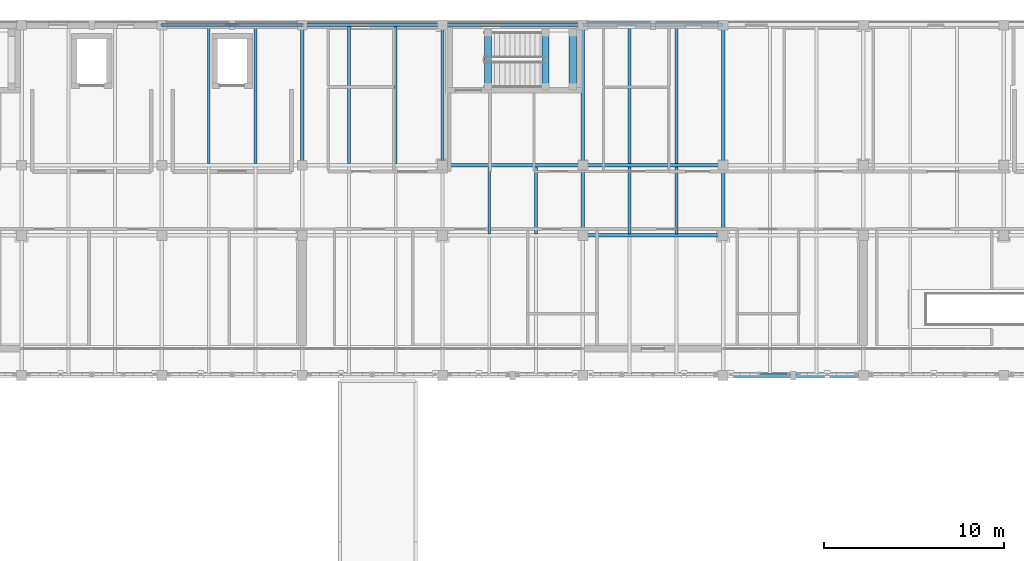
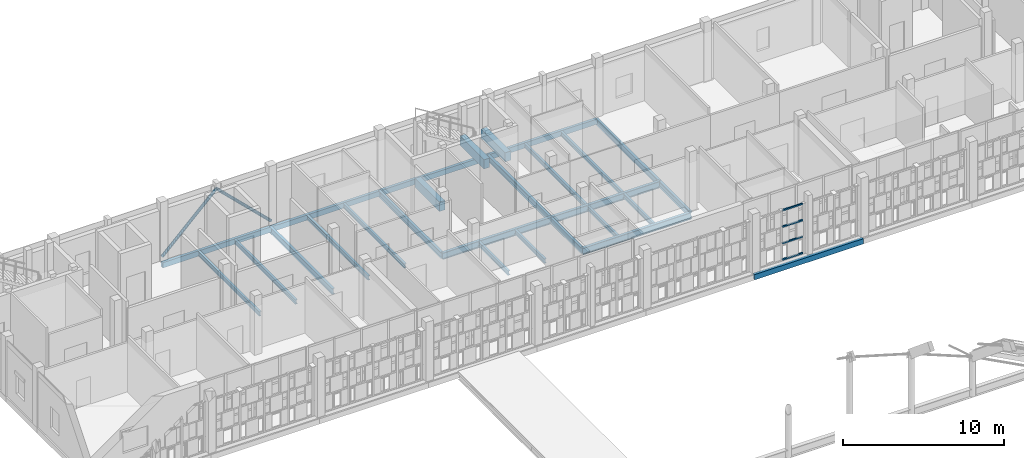
# One storey, part 55 of 119: 27 beams, 6 members.
"""IFC4 building model written with IfcOpenShell, lengths in metres."""

import ifcopenshell
import ifcopenshell.guid

model = None  # the IFC model being written
_history = None  # IfcOwnerHistory: only IFC2X3 demands one
_inside = {}  # id of a spatial element -> (the spatial element, [elements in it])
_under = {}  # id of a project, library or spatial element -> (it, [spatial elements below it])
_declared = {}  # id of a project -> (the project, [libraries it declares])
_typed = {}  # id of a type object -> (the type object, [elements of that type])
_made_of = {}  # id of a material, layer set ... -> (it, [elements and type objects made of it])


def new_model(schema):
    """Start an empty IFC model of exactly this schema.

    Asked for "IFC4X3", IfcOpenShell would pick the latest addendum, in which some entities
    have other attributes; the version numbers below select the first issue.
    IFC2X3 requires an IfcOwnerHistory on every rooted entity: one is made here for all.
    """
    global model, _history
    if schema == "IFC4X3":
        model = ifcopenshell.file(schema_version=(4, 3, 0, 0))
    else:
        model = ifcopenshell.file(schema=schema)
    _inside.clear()
    _under.clear()
    _declared.clear()
    _typed.clear()
    _made_of.clear()
    _history = None
    if model.schema == "IFC2X3":
        org = make("IfcOrganization", Name="unknown")
        user = make(
            "IfcPersonAndOrganization",
            ThePerson=make("IfcPerson", FamilyName="unknown"),
            TheOrganization=org,
        )
        app = make(
            "IfcApplication",
            ApplicationDeveloper=org,
            Version="unknown",
            ApplicationFullName="unknown",
            ApplicationIdentifier="unknown",
        )
        _history = make(
            "IfcOwnerHistory",
            OwningUser=user,
            OwningApplication=app,
            ChangeAction="ADDED",
            CreationDate=0,
        )
    return model


def make(cls, **values):
    """One entity of the class cls with the attributes given. An attribute that is None is left unset."""
    return model.create_entity(
        cls, **{name: value for name, value in values.items() if value is not None}
    )


def rooted(cls, **values):
    """An entity with a GlobalId (a new one), such as an element, a storey or a relation."""
    return make(cls, GlobalId=ifcopenshell.guid.new(), OwnerHistory=_history, **values)


def si_unit(unit_type, name, prefix=None):
    """IfcSIUnit, for example si_unit("LENGTHUNIT", "METRE", prefix="MILLI")."""
    return make("IfcSIUnit", UnitType=unit_type, Prefix=prefix, Name=name)


def assignment(units):
    """IfcUnitAssignment: the units of a project."""
    return None if units is None else make("IfcUnitAssignment", Units=units)


def point(xyz):
    """IfcCartesianPoint."""
    return None if xyz is None else make("IfcCartesianPoint", Coordinates=xyz)


def direction(xyz):
    """IfcDirection."""
    return None if xyz is None else make("IfcDirection", DirectionRatios=xyz)


def frame(location, z_axis=None, x_axis=None):
    """IfcAxis2Placement3D, a coordinate frame: its origin and axes. An axis left out is left unset."""
    return make(
        "IfcAxis2Placement3D",
        Location=point(location),
        Axis=direction(z_axis),
        RefDirection=direction(x_axis),
    )


def frame_2d(location, x_axis=None):
    """IfcAxis2Placement2D, a coordinate frame in the plane: its origin and x axis."""
    return make(
        "IfcAxis2Placement2D", Location=point(location), RefDirection=direction(x_axis)
    )


def origin():
    """The frame at (0, 0, 0) with its axes left unset."""
    return frame((0.0, 0.0, 0.0))


def origin_2d():
    """The frame at (0, 0) in the plane with its x axis left unset."""
    return frame_2d((0.0, 0.0))


def place(relative_to, where):
    """IfcLocalPlacement: puts the frame where relative to a parent placement (None: the world)."""
    return make(
        "IfcLocalPlacement", PlacementRelTo=relative_to, RelativePlacement=where
    )


def context(
    kind, dimensions, precision=None, world=None, true_north=None, identifier=None
):
    """IfcGeometricRepresentationContext, for example the 3D "Model" context."""
    return make(
        "IfcGeometricRepresentationContext",
        ContextIdentifier=identifier,
        ContextType=kind,
        CoordinateSpaceDimension=dimensions,
        Precision=precision,
        WorldCoordinateSystem=world,
        TrueNorth=true_north,
    )


def subcontext(parent, identifier, kind, view, scale=None):
    """IfcGeometricRepresentationSubContext, for example "Body" below "Model"."""
    return make(
        "IfcGeometricRepresentationSubContext",
        ContextIdentifier=identifier,
        ContextType=kind,
        ParentContext=parent,
        TargetScale=scale,
        TargetView=view,
    )


def project(units=None, contexts=None):
    """IfcProject with its units and contexts."""
    return rooted(
        "IfcProject",
        Name="project",
        RepresentationContexts=contexts,
        UnitsInContext=assignment(units),
    )


def spatial(cls, under=None, at=None, **own):
    """A site, building, storey or space (cls), placed at a placement, below another one or the project."""
    s = rooted(cls, ObjectPlacement=at, **own)
    if under is not None:
        _under.setdefault(under.id(), (under, []))[1].append(s)
    return s


def profile(cls, at=None, kind="AREA", **sizes):
    """A parametric profile (cls). Its sizes go by their IFC names, for example OverallWidth=200.0."""
    return make(cls, ProfileType=kind, Position=at, **sizes)


def rectangle(**sizes):
    """IfcRectangleProfileDef."""
    return profile("IfcRectangleProfileDef", **sizes)


def hollow_rectangle(**sizes):
    """IfcRectangleHollowProfileDef."""
    return profile("IfcRectangleHollowProfileDef", **sizes)


def hollow_circle(**sizes):
    """IfcCircleHollowProfileDef."""
    return profile("IfcCircleHollowProfileDef", **sizes)


def i_section(**sizes):
    """IfcIShapeProfileDef."""
    return profile("IfcIShapeProfileDef", **sizes)


def extrude(swept, where, along, depth):
    """IfcExtrudedAreaSolid: the profile swept, set in the frame where, extruded along a direction by depth."""
    return make(
        "IfcExtrudedAreaSolid",
        SweptArea=swept,
        Position=where,
        ExtrudedDirection=direction(along),
        Depth=depth,
    )


def shape(context_of_items, identifier, shape_type, items):
    """IfcShapeRepresentation: the items that make up one representation, for example the "Body"."""
    return make(
        "IfcShapeRepresentation",
        ContextOfItems=context_of_items,
        RepresentationIdentifier=identifier,
        RepresentationType=shape_type,
        Items=items,
    )


def material(Name=None, Category=None):
    """IfcMaterial."""
    return make("IfcMaterial", Name=Name, Category=Category)


def material_profile(
    of_material, cross_section, Name=None, Category=None, Priority=None
):
    """IfcMaterialProfile: a cross section and its material."""
    return make(
        "IfcMaterialProfile",
        Name=Name,
        Material=of_material,
        Profile=cross_section,
        Priority=Priority,
        Category=Category,
    )


def profile_set(profiles, Name=None, composite=None):
    """IfcMaterialProfileSet."""
    return make(
        "IfcMaterialProfileSet",
        Name=Name,
        MaterialProfiles=profiles,
        CompositeProfile=composite,
    )


def made_of(thing, what):
    """Note that an element or type object is made of a material, layer set ...; save() writes the relation."""
    if what is not None:
        _made_of.setdefault(what.id(), (what, []))[1].append(thing)
    return thing


def type_object(cls, material=None, **own):
    """A type object (cls), such as IfcWallType, which elements share."""
    return made_of(rooted(cls, **own), material)


def element(
    cls,
    number,
    at=None,
    inside=None,
    cuts=None,
    type_object=None,
    material=None,
    context=None,
    identifier="Body",
    shape_type=None,
    held_by="IfcProductDefinitionShape",
    body=None,
    shapes=None,
    **own,
):
    """One element of the class cls, such as IfcWall. Its Tag is "e" and its number.

    at: its placement. inside: the storey or other place that contains it. cuts: it is an
    opening in that element (IfcRelVoidsElement). A single representation is given by context,
    identifier, shape_type and body (its items); several are given by shapes. held_by: the class
    of the entity that holds the representations. save() writes the other relations.
    """
    e = rooted(cls, Tag="e%d" % number, ObjectPlacement=at, **own)
    if body is not None:
        shapes = [shape(context, identifier, shape_type, body)]
    if shapes is not None:
        e.Representation = make(held_by, Representations=shapes)
    if inside is not None:
        _inside.setdefault(inside.id(), (inside, []))[1].append(e)
    if cuts is not None:
        rooted(
            "IfcRelVoidsElement", RelatingBuildingElement=cuts, RelatedOpeningElement=e
        )
    if type_object is not None:
        _typed.setdefault(type_object.id(), (type_object, []))[1].append(e)
    return made_of(e, material)


def aggregate(whole, parts):
    """IfcRelAggregates: a whole, such as a stair, and the parts it consists of."""
    return rooted("IfcRelAggregates", RelatingObject=whole, RelatedObjects=parts)


def save(model, path):
    """Write the relations noted so far, then the file.

    IfcRelAggregates (storeys below a building ...), IfcRelContainedInSpatialStructure (elements
    in a storey), IfcRelDefinesByType, IfcRelAssociatesMaterial and IfcRelDeclares: one each for
    every whole, place, type object, material and project.
    """
    for whole, parts in _under.values():
        aggregate(whole, parts)
    for where, things in _inside.values():
        rooted(
            "IfcRelContainedInSpatialStructure",
            RelatedElements=things,
            RelatingStructure=where,
        )
    for kind, things in _typed.values():
        rooted("IfcRelDefinesByType", RelatedObjects=things, RelatingType=kind)
    for what, things in _made_of.values():
        rooted("IfcRelAssociatesMaterial", RelatedObjects=things, RelatingMaterial=what)
    for by, libraries in _declared.values():
        rooted("IfcRelDeclares", RelatingContext=by, RelatedDefinitions=libraries)
    model.write(path)


model = new_model("IFC4")

# Units and contexts
model_context = context("Model", 3, precision=1e-05, world=origin(), true_north=direction((0.0, 1.0)))
body_context = subcontext(model_context, "Body", "Model", "MODEL_VIEW")
ifc_project = project(units=[si_unit("LENGTHUNIT", "METRE"), si_unit("AREAUNIT", "SQUARE_METRE"), si_unit("VOLUMEUNIT", "CUBIC_METRE"), si_unit("PLANEANGLEUNIT", "RADIAN"), si_unit("MASSUNIT", "GRAM", prefix="KILO")], contexts=[model_context])

# Site, building, storey
site_placement = place(None, origin())
site = spatial("IfcSite", under=ifc_project, at=site_placement, CompositionType="ELEMENT")
building_placement = place(site_placement, origin())
building = spatial("IfcBuilding", under=site, at=building_placement, Name="Celorna Specialist Clinic", CompositionType="ELEMENT")
storey_placement = place(building_placement, frame((0.0, 0.0, 9.60009765625)))
storey = spatial("IfcBuildingStorey", under=building, at=storey_placement, Name="L02", CompositionType="ELEMENT", Elevation=9.60009765625)

# Beams
ifc_material_1 = material(Name="Steel S355", Category="steel")
ifc_material_profile_1 = material_profile(ifc_material_1, i_section(OverallWidth=0.199951171875, OverallDepth=0.5, WebThickness=0.01025390625, FlangeThickness=0.01611328125, at=origin_2d()), Name="IPE 500")
ifc_profile_set_1 = profile_set([ifc_material_profile_1], Name="Steel S355")
beam_type_1 = type_object("IfcBeamType", Name="BM-08", PredefinedType="BEAM", material=ifc_profile_set_1)
for number, where, z_axis, x_axis, name in (
    (1, (85.800048828125, 104.300048828125, -0.510009765625), (1.0, 0.0, 0.0), (0.0, 1.0, 0.0), "Primary girder BM-08 #1082"),
    (2, (78.0, 108.199951171875, -0.510009765625), (1.0, 0.0, 0.0), (0.0, 1.0, 0.0), "Primary girder BM-08 #1092"),
    (3, (85.800048828125, 108.199951171875, -0.510009765625), (1.0, 0.0, 0.0), (0.0, 1.0, 0.0), "Primary girder BM-08 #1093"),
):
    element("IfcBeam", number, at=place(storey_placement, frame(where, z_axis=z_axis, x_axis=x_axis)), inside=storey, type_object=beam_type_1, Name=name, PredefinedType="BEAM", context=body_context, shape_type="SweptSolid", body=[
        extrude(i_section(OverallWidth=0.199951171875, OverallDepth=0.5, WebThickness=0.01025390625, FlangeThickness=0.01611328125, at=origin_2d()), origin(), (0.0, 0.0, 1.0), 7.800048828125),
    ])
ifc_material_profile_2 = material_profile(ifc_material_1, i_section(OverallWidth=0.18994140625, OverallDepth=0.449951171875, WebThickness=0.009521484375, FlangeThickness=0.0146484375, at=origin_2d()), Name="IPE 450")
ifc_profile_set_2 = profile_set([ifc_material_profile_2], Name="Steel S355")
beam_type_2 = type_object("IfcBeamType", Name="BM-09", PredefinedType="BEAM", material=ifc_profile_set_2)
for number, where, z_axis, x_axis, name in (
    (4, (70.199951171875, 108.199951171875, -0.485107421875), (0.0, 1.0, 0.0), (-1.0, 0.0, 0.0), "Transverse girder BM-09 #1121"),
    (5, (78.0, 108.199951171875, -0.485107421875), (0.0, 1.0, 0.0), (-1.0, 0.0, 0.0), "Transverse girder BM-09 #1124"),
):
    element("IfcBeam", number, at=place(storey_placement, frame(where, z_axis=z_axis, x_axis=x_axis)), inside=storey, type_object=beam_type_2, Name=name, PredefinedType="BEAM", context=body_context, shape_type="SweptSolid", body=[
        extrude(i_section(OverallWidth=0.18994140625, OverallDepth=0.449951171875, WebThickness=0.009521484375, FlangeThickness=0.0146484375, at=origin_2d()), origin(), (0.0, 0.0, 1.0), 7.800048828125),
    ])
beam_1_placement = place(storey_placement, frame((85.800048828125, 104.300048828125, -0.485107421875), z_axis=(0.0, 1.0, 0.0), x_axis=(-1.0, 0.0, 0.0)))
element("IfcBeam", 6, at=beam_1_placement, inside=storey, type_object=beam_type_2, Name="Transverse girder BM-09 #1126", PredefinedType="BEAM", context=body_context, shape_type="SweptSolid", body=[
    extrude(i_section(OverallWidth=0.18994140625, OverallDepth=0.449951171875, WebThickness=0.009521484375, FlangeThickness=0.0146484375, at=origin_2d()), origin(), (0.0, 0.0, 1.0), 3.89990234375),
])
beam_2_placement = place(storey_placement, frame((85.800048828125, 108.199951171875, -0.485107421875), z_axis=(0.0, 1.0, 0.0), x_axis=(-1.0, 0.0, 0.0)))
element("IfcBeam", 7, at=beam_2_placement, inside=storey, type_object=beam_type_2, Name="Transverse girder BM-09 #1127", PredefinedType="BEAM", context=body_context, shape_type="SweptSolid", body=[
    extrude(i_section(OverallWidth=0.18994140625, OverallDepth=0.449951171875, WebThickness=0.009521484375, FlangeThickness=0.0146484375, at=origin_2d()), origin(), (0.0, 0.0, 1.0), 7.800048828125),
])
beam_3_placement = place(storey_placement, frame((93.60009765625, 104.300048828125, -0.485107421875), z_axis=(0.0, 1.0, 0.0), x_axis=(-1.0, 0.0, 0.0)))
element("IfcBeam", 8, at=beam_3_placement, inside=storey, type_object=beam_type_2, Name="Transverse girder BM-09 #1129", PredefinedType="BEAM", context=body_context, shape_type="SweptSolid", body=[
    extrude(i_section(OverallWidth=0.18994140625, OverallDepth=0.449951171875, WebThickness=0.009521484375, FlangeThickness=0.0146484375, at=origin_2d()), origin(), (0.0, 0.0, 1.0), 3.89990234375),
])
beam_4_placement = place(storey_placement, frame((93.60009765625, 108.199951171875, -0.485107421875), z_axis=(0.0, 1.0, 0.0), x_axis=(-1.0, 0.0, 0.0)))
element("IfcBeam", 9, at=beam_4_placement, inside=storey, type_object=beam_type_2, Name="Transverse girder BM-09 #1130", PredefinedType="BEAM", context=body_context, shape_type="SweptSolid", body=[
    extrude(i_section(OverallWidth=0.18994140625, OverallDepth=0.449951171875, WebThickness=0.009521484375, FlangeThickness=0.0146484375, at=origin_2d()), origin(), (0.0, 0.0, 1.0), 7.800048828125),
])
ifc_material_profile_3 = material_profile(ifc_material_1, i_section(OverallWidth=0.159912109375, OverallDepth=0.330078125, WebThickness=0.007568359375, FlangeThickness=0.011474609375, at=origin_2d()), Name="IPE 330")
ifc_profile_set_3 = profile_set([ifc_material_profile_3], Name="Steel S355")
beam_type_3 = type_object("IfcBeamType", Name="BM-12", PredefinedType="JOIST", material=ifc_profile_set_3)
for number, where, z_axis, x_axis, name in (
    (10, (65.0, 108.2880859375, -0.425048828125), (0.0, 1.0, 0.0), (-1.0, 0.0, 0.0), "Secondary floor joist BM-12 #1159"),
    (11, (67.60009765625, 108.2880859375, -0.425048828125), (0.0, 1.0, 0.0), (-1.0, 0.0, 0.0), "Secondary floor joist BM-12 #1160"),
    (12, (72.800048828125, 108.2880859375, -0.425048828125), (0.0, 1.0, 0.0), (-1.0, 0.0, 0.0), "Secondary floor joist BM-12 #1165"),
    (13, (75.39990234375, 108.2880859375, -0.425048828125), (0.0, 1.0, 0.0), (-1.0, 0.0, 0.0), "Secondary floor joist BM-12 #1166"),
):
    element("IfcBeam", number, at=place(storey_placement, frame(where, z_axis=z_axis, x_axis=x_axis)), inside=storey, type_object=beam_type_3, Name=name, PredefinedType="JOIST", context=body_context, shape_type="SweptSolid", body=[
        extrude(i_section(OverallWidth=0.159912109375, OverallDepth=0.330078125, WebThickness=0.007568359375, FlangeThickness=0.011474609375, at=origin_2d()), origin(), (0.0, 0.0, 1.0), 7.6240234375),
    ])
for number, where, z_axis, x_axis, name in (
    (14, (80.60009765625, 104.387939453125, -0.425048828125), (0.0, 1.0, 0.0), (-1.0, 0.0, 0.0), "Secondary floor joist BM-12 #1169"),
    (15, (83.199951171875, 104.387939453125, -0.425048828125), (0.0, 1.0, 0.0), (-1.0, 0.0, 0.0), "Secondary floor joist BM-12 #1170"),
    (16, (88.39990234375, 104.387939453125, -0.425048828125), (0.0, 1.0, 0.0), (-1.0, 0.0, 0.0), "Secondary floor joist BM-12 #1173"),
    (17, (91.0, 104.387939453125, -0.425048828125), (0.0, 1.0, 0.0), (-1.0, 0.0, 0.0), "Secondary floor joist BM-12 #1174"),
):
    element("IfcBeam", number, at=place(storey_placement, frame(where, z_axis=z_axis, x_axis=x_axis)), inside=storey, type_object=beam_type_3, Name=name, PredefinedType="JOIST", context=body_context, shape_type="SweptSolid", body=[
        extrude(i_section(OverallWidth=0.159912109375, OverallDepth=0.330078125, WebThickness=0.007568359375, FlangeThickness=0.011474609375, at=origin_2d()), origin(), (0.0, 0.0, 1.0), 3.72412109375),
    ])
for number, where, z_axis, x_axis, name in (
    (18, (88.39990234375, 108.2880859375, -0.425048828125), (0.0, 1.0, 0.0), (-1.0, 0.0, 0.0), "Secondary floor joist BM-12 #1175"),
    (19, (91.0, 108.2880859375, -0.425048828125), (0.0, 1.0, 0.0), (-1.0, 0.0, 0.0), "Secondary floor joist BM-12 #1176"),
):
    element("IfcBeam", number, at=place(storey_placement, frame(where, z_axis=z_axis, x_axis=x_axis)), inside=storey, type_object=beam_type_3, Name=name, PredefinedType="JOIST", context=body_context, shape_type="SweptSolid", body=[
        extrude(i_section(OverallWidth=0.159912109375, OverallDepth=0.330078125, WebThickness=0.007568359375, FlangeThickness=0.011474609375, at=origin_2d()), origin(), (0.0, 0.0, 1.0), 7.6240234375),
    ])
ifc_material_profile_4 = material_profile(ifc_material_1, hollow_rectangle(XDim=0.199951171875, YDim=0.39990234375, WallThickness=0.011962890625, at=origin_2d()), Name="RHS 200x400x12")
ifc_profile_set_4 = profile_set([ifc_material_profile_4], Name="Steel S355")
beam_type_4 = type_object("IfcBeamType", Name="BM-15", PredefinedType="SPANDREL", material=ifc_profile_set_4)
beam_5_placement = place(storey_placement, frame((93.60009765625, 96.5, -0.460205078125), z_axis=(1.0, 0.0, 0.0), x_axis=(0.0, 1.0, 0.0)))
element("IfcBeam", 20, at=beam_5_placement, inside=storey, type_object=beam_type_4, Name="Spandrel beam BM-15 #1072", PredefinedType="SPANDREL", context=body_context, shape_type="SweptSolid", body=[
    extrude(hollow_rectangle(XDim=0.199951171875, YDim=0.39990234375, WallThickness=0.011962890625, at=origin_2d()), origin(), (0.0, 0.0, 1.0), 7.7998046875),
])
for number, where, z_axis, x_axis, name in (
    (21, (62.39990234375, 116.0, -0.460205078125), (1.0, 0.0, 0.0), (0.0, 1.0, 0.0), "Spandrel beam BM-15 #1101"),
    (22, (70.199951171875, 116.0, -0.460205078125), (1.0, 0.0, 0.0), (0.0, 1.0, 0.0), "Spandrel beam BM-15 #1102"),
    (23, (78.0, 116.0, -0.460205078125), (1.0, 0.0, 0.0), (0.0, 1.0, 0.0), "Spandrel beam BM-15 #1103"),
    (24, (85.800048828125, 116.0, -0.460205078125), (1.0, 0.0, 0.0), (0.0, 1.0, 0.0), "Spandrel beam BM-15 #1104"),
):
    element("IfcBeam", number, at=place(storey_placement, frame(where, z_axis=z_axis, x_axis=x_axis)), inside=storey, type_object=beam_type_4, Name=name, PredefinedType="SPANDREL", context=body_context, shape_type="SweptSolid", body=[
        extrude(hollow_rectangle(XDim=0.199951171875, YDim=0.39990234375, WallThickness=0.011962890625, at=origin_2d()), origin(), (0.0, 0.0, 1.0), 7.800048828125),
    ])
ifc_material_2 = material(Name="Concrete C35/45", Category="concrete")
ifc_material_profile_5 = material_profile(ifc_material_2, rectangle(XDim=0.39990234375, YDim=0.699951171875, at=origin_2d()), Name="RC 400x700")
ifc_profile_set_5 = profile_set([ifc_material_profile_5], Name="Concrete C35/45")
beam_type_5 = type_object("IfcBeamType", Name="BM-19", PredefinedType="BEAM", material=ifc_profile_set_5)
for number, where, z_axis, x_axis, name in (
    (25, (80.52001953125, 112.570068359375, -0.275146484375), (0.0, 1.0, 0.0), (-1.0, 0.0, 0.0), "Stair ST-02 floor landing trimmer beam L02"),
    (26, (83.719970703125, 112.570068359375, 1.824951171875), (0.0, 1.0, 0.0), (-1.0, 0.0, 0.0), "Stair ST-02 half-landing beam L02"),
    (27, (85.239990234375, 112.570068359375, 1.824951171875), (0.0, 1.0, 0.0), (-1.0, 0.0, 0.0), "Stair ST-02 half-landing beam L02"),
):
    element("IfcBeam", number, at=place(storey_placement, frame(where, z_axis=z_axis, x_axis=x_axis)), inside=storey, type_object=beam_type_5, Name=name, PredefinedType="BEAM", context=body_context, shape_type="SweptSolid", body=[
        extrude(rectangle(XDim=0.39990234375, YDim=0.699951171875, at=origin_2d()), origin(), (0.0, 0.0, 1.0), 3.0),
    ])

# Members
ifc_material_profile_6 = material_profile(ifc_material_1, hollow_circle(Radius=0.109619140625, WallThickness=0.012451171875, at=origin_2d()), Name="CHS 219.1x12.5")
ifc_profile_set_6 = profile_set([ifc_material_profile_6], Name="Steel S355")
member_type_1 = type_object("IfcMemberType", Name="MB-07", PredefinedType="BRACE", material=ifc_profile_set_6)
member_1_placement = place(storey_placement, frame((62.39990234375, 116.0, 0.14990234375), z_axis=(0.716238207287, 0.0, 0.69785588084), x_axis=(0.0, 1.0, 0.0)))
element("IfcMember", 28, at=member_1_placement, inside=storey, type_object=member_type_1, Name="Lateral chevron brace WP-119-WP-120", PredefinedType="BRACE", context=body_context, shape_type="SweptSolid", body=[
    extrude(hollow_circle(Radius=0.109619140625, WallThickness=0.012451171875, at=origin_2d()), origin(), (0.0, 0.0, 1.0), 5.4453125),
])
member_2_placement = place(storey_placement, frame((70.199951171875, 116.0, 0.14990234375), z_axis=(-0.716216371491, 0.0, 0.697878291114), x_axis=(0.0, -1.0, 0.0)))
element("IfcMember", 29, at=member_2_placement, inside=storey, type_object=member_type_1, Name="Lateral chevron brace WP-121-WP-120", PredefinedType="BRACE", context=body_context, shape_type="SweptSolid", body=[
    extrude(hollow_circle(Radius=0.109619140625, WallThickness=0.012451171875, at=origin_2d()), origin(), (0.0, 0.0, 1.0), 5.445068359375),
])
ifc_material_profile_7 = material_profile(ifc_material_1, hollow_rectangle(XDim=0.10009765625, YDim=0.10009765625, WallThickness=0.006103515625, at=origin_2d()), Name="SHS 100x100x6")
ifc_profile_set_7 = profile_set([ifc_material_profile_7], Name="Steel S355")
member_type_2 = type_object("IfcMemberType", Name="MB-12", PredefinedType="STUD", material=ifc_profile_set_7)
for number, where, z_axis, x_axis, name in (
    (30, (95.672607421875, 96.580078125, 0.0498046875), (1.0, 0.0, 0.0), (0.0, 1.0, 0.0), "Perforated screen rail #1130"),
    (31, (95.672607421875, 96.580078125, 1.296630859375), (1.0, 0.0, 0.0), (0.0, 1.0, 0.0), "Perforated screen rail #1131"),
    (32, (95.672607421875, 96.580078125, 2.543212890625), (1.0, 0.0, 0.0), (0.0, 1.0, 0.0), "Perforated screen rail #1132"),
    (33, (95.672607421875, 96.580078125, 3.789794921875), (1.0, 0.0, 0.0), (0.0, 1.0, 0.0), "Perforated screen rail #1133"),
):
    element("IfcMember", number, at=place(storey_placement, frame(where, z_axis=z_axis, x_axis=x_axis)), inside=storey, type_object=member_type_2, Name=name, PredefinedType="STUD", context=body_context, shape_type="SweptSolid", body=[
        extrude(hollow_rectangle(XDim=0.10009765625, YDim=0.10009765625, WallThickness=0.006103515625, at=origin_2d()), origin(), (0.0, 0.0, 1.0), 1.477294921875),
    ])

save(model, "model.ifc")
